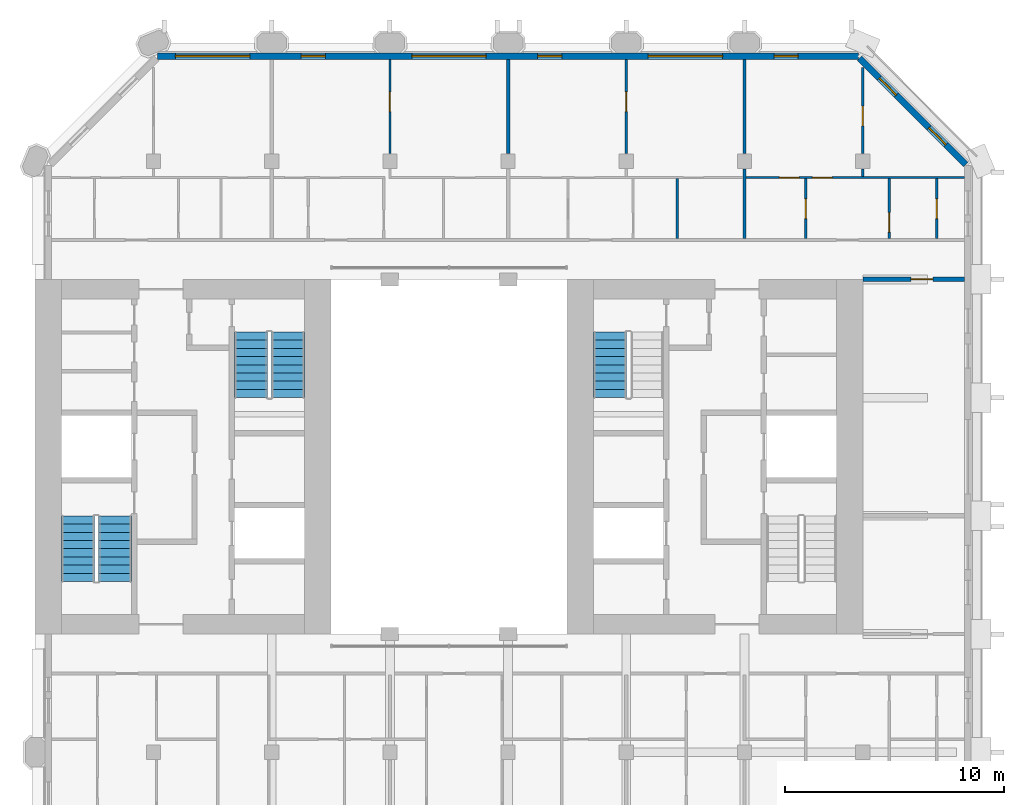
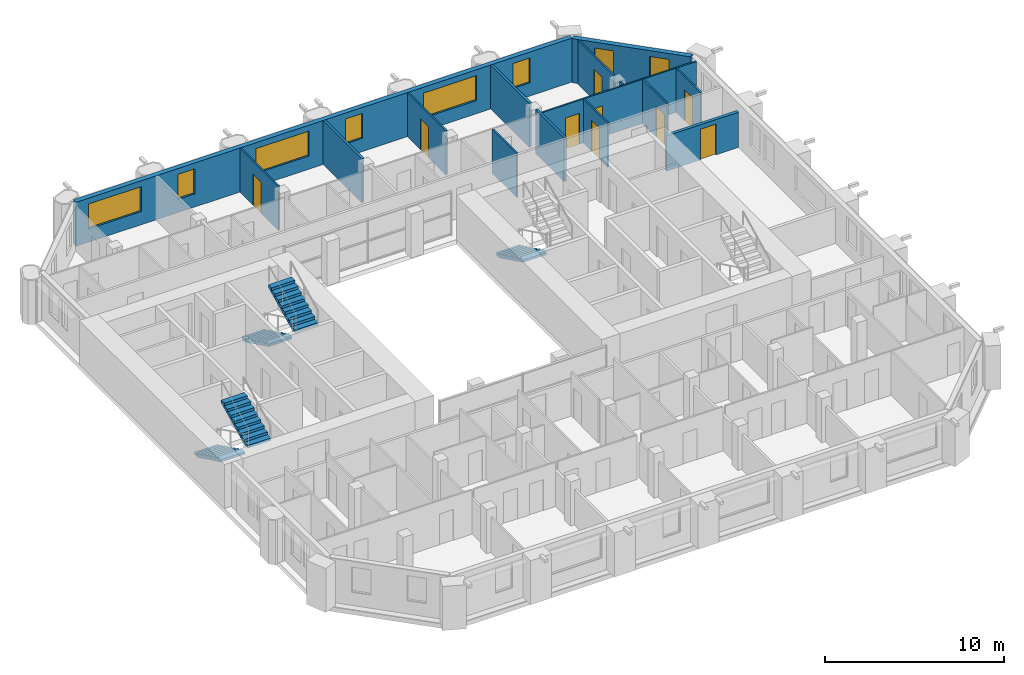
# One storey, part 11 of 14: 15 walls, 9 doors, 8 windows, 5 stair flights, 17 openings, 3 elements without a shape of their own.
"""IFC4 building model written with IfcOpenShell, lengths in metres."""

from ifc_helpers import new_model, si_unit, direction, frame, frame_2d, origin, place, context, subcontext, project, spatial, polyline, rectangle, outline, extrude, material, layer, layer_set, type_object, element, fill, aggregate, save


model = new_model("IFC4")

# Units and contexts
model_context = context("Model", 3, precision=1e-05, world=origin(), true_north=direction((0.0, 1.0)))
body_context = subcontext(model_context, "Body", "Model", "MODEL_VIEW")
ifc_project = project(units=[si_unit("LENGTHUNIT", "METRE"), si_unit("AREAUNIT", "SQUARE_METRE"), si_unit("VOLUMEUNIT", "CUBIC_METRE"), si_unit("PLANEANGLEUNIT", "RADIAN"), si_unit("MASSUNIT", "GRAM", prefix="KILO")], contexts=[model_context])

# Site, building, storey
site_placement = place(None, origin())
site = spatial("IfcSite", under=ifc_project, at=site_placement, CompositionType="ELEMENT")
building_placement = place(site_placement, origin())
building = spatial("IfcBuilding", under=site, at=building_placement, Name="Tabaq Tower and Sports Hall", CompositionType="ELEMENT")
storey_placement = place(building_placement, frame((0.0, 0.0, 275.199951171875)))
storey = spatial("IfcBuildingStorey", under=building, at=storey_placement, Name="L67", CompositionType="ELEMENT", Elevation=275.199951171875)

# Wall, opening, door
ifc_material_1 = material(Name="Blockwork", Category="masonry")
ifc_layer_1 = layer(ifc_material_1, 0.199951171875)
ifc_layer_set_1 = layer_set([ifc_layer_1], Name="Fire compartment wall 200 Blockwork")
wall_type_1 = type_object("IfcWallType", Name="Fire compartment wall 200 Blockwork", PredefinedType="PARTITIONING", material=ifc_layer_set_1)
wall_1_placement = place(storey_placement, frame((47.84912109375, 32.39990234375, 0.0), z_axis=(0.0, 0.0, 1.0), x_axis=(-1.0, 0.0, 0.0)))
wall_1 = element("IfcWall", 1, at=wall_1_placement, inside=storey, type_object=wall_type_1, Name="Compartment wall L67", PredefinedType="PARTITIONING", context=body_context, shape_type="SweptSolid", body=[
    extrude(rectangle(XDim=4.649169921875, YDim=0.199951171875, at=frame_2d((2.32470703125, 0.0))), origin(), (0.0, 0.0, 1.0), 2.400146484375),
])
opening_1_placement = place(wall_1_placement, frame((1.448974609375, 0.0, 0.0)))
opening_1 = element("IfcOpeningElement", 2, at=opening_1_placement, cuts=wall_1, Name="Opening L67-008", PredefinedType="OPENING", context=body_context, shape_type="SweptSolid", body=[
    extrude(rectangle(XDim=1.0, YDim=2.10009765625, at=frame_2d((0.5, 1.050048828125))), frame((0.0, 0.10009765625, 0.0), z_axis=(0.0, -1.0, 0.0), x_axis=(1.0, 0.0, 0.0)), (0.0, 0.0, 1.0), 0.199951171875),
])
ifc_material_2 = material(Name="Timber leaf in steel frame", Category="steel")
door_type_1 = type_object("IfcDoorType", Name="Internal door 1000 right hand", OperationType="SINGLE_SWING_RIGHT", PredefinedType="DOOR", material=ifc_material_2)
door_1_placement = place(opening_1_placement, origin())
door_1 = element("IfcDoor", 3, at=door_1_placement, inside=storey, type_object=door_type_1, Name="Internal door L67-008", OperationType="SINGLE_SWING_RIGHT", OverallHeight=2.10009765625, OverallWidth=1.0, PredefinedType="DOOR", context=body_context, shape_type="SweptSolid", body=[
    extrude(rectangle(XDim=1.0, YDim=2.10009765625, at=frame_2d((0.5, 1.050048828125))), frame((0.0, 0.02490234375, 0.0), z_axis=(0.0, -1.0, 0.0), x_axis=(1.0, 0.0, 0.0)), (0.0, 0.0, 1.0), 0.050048828125),
])
fill(opening_1, door_1)

ifc_material_3 = material(Name="Gypsum board on steel studs", Category="steel")
ifc_layer_2 = layer(ifc_material_3, 0.10009765625)
ifc_layer_set_2 = layer_set([ifc_layer_2], Name="Partition 100 Gypsum board")
wall_type_2 = type_object("IfcWallType", Name="Partition 100 Gypsum board", PredefinedType="PARTITIONING", material=ifc_layer_set_2)
wall_2_placement = place(storey_placement, frame((21.60009765625, 38.14501953125, 0.0), z_axis=(0.0, 0.0, 1.0), x_axis=(0.0, 1.0, 0.0)))
wall_2 = element("IfcWall", 4, at=wall_2_placement, inside=storey, type_object=wall_type_2, Name="Partition wall L67", PredefinedType="PARTITIONING", context=body_context, shape_type="SweptSolid", body=[
    extrude(rectangle(XDim=4.303955078125, YDim=0.10009765625, at=frame_2d((2.15185546875, 0.0))), origin(), (0.0, 0.0, 1.0), 3.0),
])
opening_2_placement = place(wall_2_placement, frame((1.91796875, 0.0, 0.0)))
opening_2 = element("IfcOpeningElement", 5, at=opening_2_placement, cuts=wall_2, Name="Opening L67-027", PredefinedType="OPENING", context=body_context, shape_type="SweptSolid", body=[
    extrude(rectangle(XDim=0.89990234375, YDim=2.10009765625, at=frame_2d((0.449951171875, 1.050048828125))), frame((0.0, 0.050048828125, 0.0), z_axis=(0.0, -1.0, 0.0), x_axis=(1.0, 0.0, 0.0)), (0.0, 0.0, 1.0), 0.10009765625),
])
ifc_material_4 = material(Name="Timber leaf in steel frame", Category="steel")
door_type_2 = type_object("IfcDoorType", Name="Internal door 900 right hand", OperationType="SINGLE_SWING_RIGHT", PredefinedType="DOOR", material=ifc_material_4)
door_2_placement = place(opening_2_placement, origin())
door_2 = element("IfcDoor", 6, at=door_2_placement, inside=storey, type_object=door_type_2, Name="Internal door L67-027", OperationType="SINGLE_SWING_RIGHT", OverallHeight=2.10009765625, OverallWidth=0.89990234375, PredefinedType="DOOR", context=body_context, shape_type="SweptSolid", body=[
    extrude(rectangle(XDim=0.89990234375, YDim=2.10009765625, at=frame_2d((0.449951171875, 1.050048828125))), frame((0.0, 0.02490234375, 0.0), z_axis=(0.0, -1.0, 0.0), x_axis=(1.0, 0.0, 0.0)), (0.0, 0.0, 1.0), 0.050048828125),
])
fill(opening_2, door_2)

wall_3_placement = place(storey_placement, frame((32.39990234375, 38.14501953125, 0.0), z_axis=(0.0, 0.0, 1.0), x_axis=(0.0, 1.0, 0.0)))
wall_3 = element("IfcWall", 7, at=wall_3_placement, inside=storey, type_object=wall_type_2, Name="Partition wall L67", PredefinedType="PARTITIONING", context=body_context, shape_type="SweptSolid", body=[
    extrude(rectangle(XDim=4.303955078125, YDim=0.10009765625, at=frame_2d((2.15185546875, 0.0))), origin(), (0.0, 0.0, 1.0), 3.0),
])
opening_3_placement = place(wall_3_placement, frame((1.91796875, 0.0, 0.0)))
opening_3 = element("IfcOpeningElement", 8, at=opening_3_placement, cuts=wall_3, Name="Opening L67-030", PredefinedType="OPENING", context=body_context, shape_type="SweptSolid", body=[
    extrude(rectangle(XDim=0.89990234375, YDim=2.10009765625, at=frame_2d((0.449951171875, 1.050048828125))), frame((0.0, 0.050048828125, 0.0), z_axis=(0.0, -1.0, 0.0), x_axis=(1.0, 0.0, 0.0)), (0.0, 0.0, 1.0), 0.10009765625),
])
ifc_material_5 = material(Name="Timber leaf in steel frame", Category="steel")
door_type_3 = type_object("IfcDoorType", Name="Internal door 900 left hand", OperationType="SINGLE_SWING_LEFT", PredefinedType="DOOR", material=ifc_material_5)
door_3_placement = place(opening_3_placement, origin())
door_3 = element("IfcDoor", 9, at=door_3_placement, inside=storey, type_object=door_type_3, Name="Internal door L67-030", OperationType="SINGLE_SWING_LEFT", OverallHeight=2.10009765625, OverallWidth=0.89990234375, PredefinedType="DOOR", context=body_context, shape_type="SweptSolid", body=[
    extrude(rectangle(XDim=0.89990234375, YDim=2.10009765625, at=frame_2d((0.449951171875, 1.050048828125))), frame((0.0, 0.02490234375, 0.0), z_axis=(0.0, -1.0, 0.0), x_axis=(1.0, 0.0, 0.0)), (0.0, 0.0, 1.0), 0.050048828125),
])
fill(opening_3, door_3)

# Walls
wall_4_placement = place(storey_placement, frame((34.720947265625, 34.27490234375, 0.0), z_axis=(0.0, 0.0, 1.0), x_axis=(0.0, 1.0, 0.0)))
element("IfcWall", 10, at=wall_4_placement, inside=storey, type_object=wall_type_2, Name="Partition wall L67", PredefinedType="PARTITIONING", context=body_context, shape_type="SweptSolid", body=[
    extrude(rectangle(XDim=2.72509765625, YDim=0.10009765625, at=frame_2d((1.362548828125, 0.0))), origin(), (0.0, 0.0, 1.0), 3.0),
])
wall_5_placement = place(storey_placement, frame((43.199951171875, 37.10009765625, 0.0), z_axis=(0.0, 0.0, 1.0), x_axis=(0.0, 1.0, 0.0)))
element("IfcWall", 11, at=wall_5_placement, inside=storey, type_object=wall_type_2, Name="Partition wall L67", PredefinedType="PARTITIONING", context=body_context, shape_type="SweptSolid", body=[
    extrude(rectangle(XDim=0.35498046875, YDim=0.10009765625, at=frame_2d((0.177490234375, 0.0))), origin(), (0.0, 0.0, 1.0), 3.0),
])

# Wall, opening, door
wall_6_placement = place(storey_placement, frame((43.199951171875, 38.14501953125, 0.0), z_axis=(0.0, 0.0, 1.0), x_axis=(0.0, 1.0, 0.0)))
wall_6 = element("IfcWall", 12, at=wall_6_placement, inside=storey, type_object=wall_type_2, Name="Partition wall L67", PredefinedType="PARTITIONING", context=body_context, shape_type="SweptSolid", body=[
    extrude(rectangle(XDim=3.94287109375, YDim=0.10009765625, at=frame_2d((1.971435546875, 0.0))), origin(), (0.0, 0.0, 1.0), 3.0),
])
opening_4_placement = place(wall_6_placement, frame((1.273681640625, 0.0, 0.0)))
opening_4 = element("IfcOpeningElement", 13, at=opening_4_placement, cuts=wall_6, Name="Opening L67-033", PredefinedType="OPENING", context=body_context, shape_type="SweptSolid", body=[
    extrude(rectangle(XDim=0.89990234375, YDim=2.10009765625, at=frame_2d((0.449951171875, 1.050048828125))), frame((0.0, 0.050048828125, 0.0), z_axis=(0.0, -1.0, 0.0), x_axis=(1.0, 0.0, 0.0)), (0.0, 0.0, 1.0), 0.10009765625),
])
door_4_placement = place(opening_4_placement, origin())
door_4 = element("IfcDoor", 14, at=door_4_placement, inside=storey, type_object=door_type_3, Name="Internal door L67-033", OperationType="SINGLE_SWING_LEFT", OverallHeight=2.10009765625, OverallWidth=0.89990234375, PredefinedType="DOOR", context=body_context, shape_type="SweptSolid", body=[
    extrude(rectangle(XDim=0.89990234375, YDim=2.10009765625, at=frame_2d((0.449951171875, 1.050048828125))), frame((0.0, 0.02490234375, 0.0), z_axis=(0.0, -1.0, 0.0), x_axis=(1.0, 0.0, 0.0)), (0.0, 0.0, 1.0), 0.050048828125),
])
fill(opening_4, door_4)

# Wall, openings, doors
wall_7_placement = place(storey_placement, frame((37.875, 37.050048828125, 0.0), z_axis=(0.0, 0.0, 1.0), x_axis=(1.0, 0.0, 0.0)))
wall_7 = element("IfcWall", 15, at=wall_7_placement, inside=storey, type_object=wall_type_2, Name="Partition wall L67", PredefinedType="PARTITIONING", context=body_context, shape_type="SweptSolid", body=[
    extrude(rectangle(XDim=9.97412109375, YDim=0.10009765625, at=frame_2d((4.987060546875, 0.0))), origin(), (0.0, 0.0, 1.0), 3.0),
])
opening_5_placement = place(wall_7_placement, frame((1.51904296875, 0.0, 0.0)))
opening_5 = element("IfcOpeningElement", 16, at=opening_5_placement, cuts=wall_7, Name="Opening L67-034", PredefinedType="OPENING", context=body_context, shape_type="SweptSolid", body=[
    extrude(rectangle(XDim=0.89990234375, YDim=2.10009765625, at=frame_2d((0.449951171875, 1.050048828125))), frame((0.0, 0.050048828125, 0.0), z_axis=(0.0, -1.0, 0.0), x_axis=(1.0, 0.0, 0.0)), (0.0, 0.0, 1.0), 0.10009765625),
])
opening_6_placement = place(wall_7_placement, frame((3.01904296875, 0.0, 0.0)))
opening_6 = element("IfcOpeningElement", 17, at=opening_6_placement, cuts=wall_7, Name="Opening L67-053", PredefinedType="OPENING", context=body_context, shape_type="SweptSolid", body=[
    extrude(rectangle(XDim=0.89990234375, YDim=2.10009765625, at=frame_2d((0.449951171875, 1.050048828125))), frame((0.0, 0.050048828125, 0.0), z_axis=(0.0, -1.0, 0.0), x_axis=(1.0, 0.0, 0.0)), (0.0, 0.0, 1.0), 0.10009765625),
])
door_5_placement = place(opening_6_placement, origin())
door_5 = element("IfcDoor", 18, at=door_5_placement, inside=storey, type_object=door_type_3, Name="Internal door L67-053", OperationType="SINGLE_SWING_LEFT", OverallHeight=2.10009765625, OverallWidth=0.89990234375, PredefinedType="DOOR", context=body_context, shape_type="SweptSolid", body=[
    extrude(rectangle(XDim=0.89990234375, YDim=2.10009765625, at=frame_2d((0.449951171875, 1.050048828125))), frame((0.0, 0.02490234375, 0.0), z_axis=(0.0, -1.0, 0.0), x_axis=(1.0, 0.0, 0.0)), (0.0, 0.0, 1.0), 0.050048828125),
])
fill(opening_6, door_5)
door_6_placement = place(opening_5_placement, origin())
door_6 = element("IfcDoor", 19, at=door_6_placement, inside=storey, type_object=door_type_2, Name="Internal door L67-034", OperationType="SINGLE_SWING_RIGHT", OverallHeight=2.10009765625, OverallWidth=0.89990234375, PredefinedType="DOOR", context=body_context, shape_type="SweptSolid", body=[
    extrude(rectangle(XDim=0.89990234375, YDim=2.10009765625, at=frame_2d((0.449951171875, 1.050048828125))), frame((0.0, 0.02490234375, 0.0), z_axis=(0.0, -1.0, 0.0), x_axis=(1.0, 0.0, 0.0)), (0.0, 0.0, 1.0), 0.050048828125),
])
fill(opening_5, door_6)

# Wall, opening, door
wall_8_placement = place(storey_placement, frame((40.593994140625, 34.27490234375, 0.0), z_axis=(0.0, 0.0, 1.0), x_axis=(0.0, 1.0, 0.0)))
wall_8 = element("IfcWall", 20, at=wall_8_placement, inside=storey, type_object=wall_type_2, Name="Partition wall L67", PredefinedType="PARTITIONING", context=body_context, shape_type="SweptSolid", body=[
    extrude(rectangle(XDim=2.72509765625, YDim=0.10009765625, at=frame_2d((1.362548828125, 0.0))), origin(), (0.0, 0.0, 1.0), 3.0),
])
opening_7_placement = place(wall_8_placement, frame((0.89990234375, 0.0, 0.0)))
opening_7 = element("IfcOpeningElement", 21, at=opening_7_placement, cuts=wall_8, Name="Opening L67-035", PredefinedType="OPENING", context=body_context, shape_type="SweptSolid", body=[
    extrude(rectangle(XDim=0.89990234375, YDim=2.10009765625, at=frame_2d((0.449951171875, 1.050048828125))), frame((0.0, 0.050048828125, 0.0), z_axis=(0.0, -1.0, 0.0), x_axis=(1.0, 0.0, 0.0)), (0.0, 0.0, 1.0), 0.10009765625),
])
door_7_placement = place(opening_7_placement, origin())
door_7 = element("IfcDoor", 22, at=door_7_placement, inside=storey, type_object=door_type_2, Name="Internal door L67-035", OperationType="SINGLE_SWING_RIGHT", OverallHeight=2.10009765625, OverallWidth=0.89990234375, PredefinedType="DOOR", context=body_context, shape_type="SweptSolid", body=[
    extrude(rectangle(XDim=0.89990234375, YDim=2.10009765625, at=frame_2d((0.449951171875, 1.050048828125))), frame((0.0, 0.02490234375, 0.0), z_axis=(0.0, -1.0, 0.0), x_axis=(1.0, 0.0, 0.0)), (0.0, 0.0, 1.0), 0.050048828125),
])
fill(opening_7, door_7)

wall_9_placement = place(storey_placement, frame((44.405029296875, 34.27490234375, 0.0), z_axis=(0.0, 0.0, 1.0), x_axis=(0.0, 1.0, 0.0)))
wall_9 = element("IfcWall", 23, at=wall_9_placement, inside=storey, type_object=wall_type_2, Name="Partition wall L67", PredefinedType="PARTITIONING", context=body_context, shape_type="SweptSolid", body=[
    extrude(rectangle(XDim=2.72509765625, YDim=0.10009765625, at=frame_2d((1.362548828125, 0.0))), origin(), (0.0, 0.0, 1.0), 3.0),
])
opening_8_placement = place(wall_9_placement, frame((0.281005859375, 0.0, 0.0)))
opening_8 = element("IfcOpeningElement", 24, at=opening_8_placement, cuts=wall_9, Name="Opening L67-007", PredefinedType="OPENING", context=body_context, shape_type="SweptSolid", body=[
    extrude(rectangle(XDim=0.89990234375, YDim=2.10009765625, at=frame_2d((0.449951171875, 1.050048828125))), frame((0.0, 0.050048828125, 0.0), z_axis=(0.0, -1.0, 0.0), x_axis=(1.0, 0.0, 0.0)), (0.0, 0.0, 1.0), 0.10009765625),
])
door_8_placement = place(opening_8_placement, origin())
door_8 = element("IfcDoor", 25, at=door_8_placement, inside=storey, type_object=door_type_2, Name="Internal door L67-007", OperationType="SINGLE_SWING_RIGHT", OverallHeight=2.10009765625, OverallWidth=0.89990234375, PredefinedType="DOOR", context=body_context, shape_type="SweptSolid", body=[
    extrude(rectangle(XDim=0.89990234375, YDim=2.10009765625, at=frame_2d((0.449951171875, 1.050048828125))), frame((0.0, 0.02490234375, 0.0), z_axis=(0.0, -1.0, 0.0), x_axis=(1.0, 0.0, 0.0)), (0.0, 0.0, 1.0), 0.050048828125),
])
fill(opening_8, door_8)

wall_10_placement = place(storey_placement, frame((46.577880859375, 34.27490234375, 0.0), z_axis=(0.0, 0.0, 1.0), x_axis=(0.0, 1.0, 0.0)))
wall_10 = element("IfcWall", 26, at=wall_10_placement, inside=storey, type_object=wall_type_2, Name="Partition wall L67", PredefinedType="PARTITIONING", context=body_context, shape_type="SweptSolid", body=[
    extrude(rectangle(XDim=2.72509765625, YDim=0.10009765625, at=frame_2d((1.362548828125, 0.0))), origin(), (0.0, 0.0, 1.0), 3.0),
])
opening_9_placement = place(wall_10_placement, frame((0.89990234375, 0.0, 0.0)))
opening_9 = element("IfcOpeningElement", 27, at=opening_9_placement, cuts=wall_10, Name="Opening L67-067", PredefinedType="OPENING", context=body_context, shape_type="SweptSolid", body=[
    extrude(rectangle(XDim=0.89990234375, YDim=2.10009765625, at=frame_2d((0.449951171875, 1.050048828125))), frame((0.0, 0.050048828125, 0.0), z_axis=(0.0, -1.0, 0.0), x_axis=(1.0, 0.0, 0.0)), (0.0, 0.0, 1.0), 0.10009765625),
])
door_9_placement = place(opening_9_placement, origin())
door_9 = element("IfcDoor", 28, at=door_9_placement, inside=storey, type_object=door_type_3, Name="Internal door L67-067", OperationType="SINGLE_SWING_LEFT", OverallHeight=2.10009765625, OverallWidth=0.89990234375, PredefinedType="DOOR", context=body_context, shape_type="SweptSolid", body=[
    extrude(rectangle(XDim=0.89990234375, YDim=2.10009765625, at=frame_2d((0.449951171875, 1.050048828125))), frame((0.0, 0.02490234375, 0.0), z_axis=(0.0, -1.0, 0.0), x_axis=(1.0, 0.0, 0.0)), (0.0, 0.0, 1.0), 0.050048828125),
])
fill(opening_9, door_9)

# Walls
ifc_material_6 = material(Name="Blockwork", Category="masonry")
ifc_layer_3 = layer(ifc_material_6, 0.14990234375)
ifc_layer_set_3 = layer_set([ifc_layer_3], Name="Separating wall 150 Blockwork")
wall_type_3 = type_object("IfcWallType", Name="Separating wall 150 Blockwork", PredefinedType="PARTITIONING", material=ifc_layer_set_3)
for number, where, z_axis, x_axis, name in (
    (29, (27.0, 38.14501953125, 0.0), (0.0, 0.0, 1.0), (0.0, 1.0, 0.0), "Separating wall L67"),
    (30, (37.800048828125, 38.14501953125, 0.0), (0.0, 0.0, 1.0), (0.0, 1.0, 0.0), "Separating wall L67"),
):
    element("IfcWall", number, at=place(storey_placement, frame(where, z_axis=z_axis, x_axis=x_axis)), inside=storey, type_object=wall_type_3, Name=name, PredefinedType="PARTITIONING", context=body_context, shape_type="SweptSolid", body=[
        extrude(rectangle(XDim=4.303955078125, YDim=0.14990234375, at=frame_2d((2.15185546875, 0.0))), origin(), (0.0, 0.0, 1.0), 3.0),
    ])
wall_11_placement = place(storey_placement, frame((37.800048828125, 34.27490234375, 0.0), z_axis=(0.0, 0.0, 1.0), x_axis=(0.0, 1.0, 0.0)))
element("IfcWall", 31, at=wall_11_placement, inside=storey, type_object=wall_type_3, Name="Separating wall L67", PredefinedType="PARTITIONING", context=body_context, shape_type="SweptSolid", body=[
    extrude(rectangle(XDim=3.18017578125, YDim=0.14990234375, at=frame_2d((1.590087890625, 0.0))), origin(), (0.0, 0.0, 1.0), 3.0),
])

# Wall, openings, windows
ifc_material_7 = material(Name="White precast concrete C60/75", Category="concrete")
ifc_layer_4 = layer(ifc_material_7, 0.300048828125)
ifc_layer_set_4 = layer_set([ifc_layer_4], Name="White precast concrete C60/75 external wall 300")
wall_type_4 = type_object("IfcWallType", Name="White precast concrete C60/75 external wall 300", PredefinedType="SOLIDWALL", material=ifc_layer_set_4)
wall_12_placement = place(storey_placement, frame((47.901123046875, 37.650390625, 0.0), z_axis=(0.0, 0.0, 1.0), x_axis=(-0.707106781187, 0.707106781187, 0.0)))
wall_12 = element("IfcWall", 32, at=wall_12_placement, inside=storey, type_object=wall_type_4, Name="External Wall L67 NE", PredefinedType="SOLIDWALL", context=body_context, shape_type="SweptSolid", body=[
    extrude(rectangle(XDim=6.85986328125, YDim=0.300048828125, at=frame_2d((3.429931640625, 0.0))), origin(), (0.0, 0.0, 1.0), 3.0),
])
opening_10_placement = place(wall_12_placement, frame((1.27978515625, 0.0, 0.89990234375)))
opening_10 = element("IfcOpeningElement", 33, at=opening_10_placement, cuts=wall_12, Name="Opening W1B", PredefinedType="OPENING", context=body_context, shape_type="SweptSolid", body=[
    extrude(rectangle(XDim=1.10009765625, YDim=1.699951171875, at=frame_2d((0.550048828125, 0.85009765625))), frame((0.0, 0.16015625, 0.0), z_axis=(0.0, -1.0, 0.0), x_axis=(1.0, 0.0, 0.0)), (0.0, 0.0, 1.0), 0.320068359375),
])
opening_11_placement = place(wall_12_placement, frame((4.479736328125, 0.0, 0.89990234375)))
opening_11 = element("IfcOpeningElement", 34, at=opening_11_placement, cuts=wall_12, Name="Opening W1B", PredefinedType="OPENING", context=body_context, shape_type="SweptSolid", body=[
    extrude(rectangle(XDim=1.10009765625, YDim=1.699951171875, at=frame_2d((0.550048828125, 0.85009765625))), frame((0.0, 0.16015625, 0.0), z_axis=(0.0, -1.0, 0.0), x_axis=(1.0, 0.0, 0.0)), (0.0, 0.0, 1.0), 0.320068359375),
])
ifc_material_8 = material(Name="Aluminium framed clear glazing", Category="aluminium")
window_type_1 = type_object("IfcWindowType", Name="Window W1B", PartitioningType="SINGLE_PANEL", PredefinedType="WINDOW", material=ifc_material_8)
window_1_placement = place(opening_10_placement, origin())
window_1 = element("IfcWindow", 35, at=window_1_placement, inside=storey, type_object=window_type_1, Name="Window W1B L67", OverallHeight=1.699951171875, OverallWidth=1.10009765625, PartitioningType="SINGLE_PANEL", PredefinedType="WINDOW", context=body_context, shape_type="SweptSolid", body=[
    extrude(rectangle(XDim=1.10009765625, YDim=1.699951171875, at=frame_2d((0.550048828125, 0.85009765625))), frame((0.0, 0.030029296875, 0.0), z_axis=(0.0, -1.0, 0.0), x_axis=(1.0, 0.0, 0.0)), (0.0, 0.0, 1.0), 0.06005859375),
])
fill(opening_10, window_1)
window_2_placement = place(opening_11_placement, origin())
window_2 = element("IfcWindow", 36, at=window_2_placement, inside=storey, type_object=window_type_1, Name="Window W1B L67", OverallHeight=1.699951171875, OverallWidth=1.10009765625, PartitioningType="SINGLE_PANEL", PredefinedType="WINDOW", context=body_context, shape_type="SweptSolid", body=[
    extrude(rectangle(XDim=1.10009765625, YDim=1.699951171875, at=frame_2d((0.550048828125, 0.85009765625))), frame((0.0, 0.030029296875, 0.0), z_axis=(0.0, -1.0, 0.0), x_axis=(1.0, 0.0, 0.0)), (0.0, 0.0, 1.0), 0.06005859375),
])
fill(opening_11, window_2)

wall_13_placement = place(storey_placement, frame((43.013671875, 42.60009765625, 0.0), z_axis=(0.0, 0.0, 1.0), x_axis=(-1.0, 0.0, 0.0)))
wall_13 = element("IfcWall", 37, at=wall_13_placement, inside=storey, type_object=wall_type_4, Name="External Wall L67 N", PredefinedType="SOLIDWALL", context=body_context, shape_type="SweptSolid", body=[
    extrude(rectangle(XDim=32.02734375, YDim=0.300048828125, at=frame_2d((16.013671875, 0.0))), origin(), (0.0, 0.0, 1.0), 3.0),
])
opening_12_placement = place(wall_13_placement, frame((2.763671875, 0.0, 0.89990234375)))
opening_12 = element("IfcOpeningElement", 38, at=opening_12_placement, cuts=wall_13, Name="Opening W1B", PredefinedType="OPENING", context=body_context, shape_type="SweptSolid", body=[
    extrude(rectangle(XDim=1.10009765625, YDim=1.699951171875, at=frame_2d((0.550048828125, 0.85009765625))), frame((0.0, 0.16015625, 0.0), z_axis=(0.0, -1.0, 0.0), x_axis=(1.0, 0.0, 0.0)), (0.0, 0.0, 1.0), 0.320068359375),
])
opening_13_placement = place(wall_13_placement, frame((6.213623046875, 0.0, 0.89990234375)))
opening_13 = element("IfcOpeningElement", 39, at=opening_13_placement, cuts=wall_13, Name="Opening W1A", PredefinedType="OPENING", context=body_context, shape_type="SweptSolid", body=[
    extrude(rectangle(XDim=3.39990234375, YDim=1.699951171875, at=frame_2d((1.699951171875, 0.85009765625))), frame((0.0, 0.16015625, 0.0), z_axis=(0.0, -1.0, 0.0), x_axis=(1.0, 0.0, 0.0)), (0.0, 0.0, 1.0), 0.320068359375),
])
opening_14_placement = place(wall_13_placement, frame((13.563720703125, 0.0, 0.89990234375)))
opening_14 = element("IfcOpeningElement", 40, at=opening_14_placement, cuts=wall_13, Name="Opening W1B", PredefinedType="OPENING", context=body_context, shape_type="SweptSolid", body=[
    extrude(rectangle(XDim=1.10009765625, YDim=1.699951171875, at=frame_2d((0.550048828125, 0.85009765625))), frame((0.0, 0.16015625, 0.0), z_axis=(0.0, -1.0, 0.0), x_axis=(1.0, 0.0, 0.0)), (0.0, 0.0, 1.0), 0.320068359375),
])
opening_15_placement = place(wall_13_placement, frame((17.013671875, 0.0, 0.89990234375)))
opening_15 = element("IfcOpeningElement", 41, at=opening_15_placement, cuts=wall_13, Name="Opening W1A", PredefinedType="OPENING", context=body_context, shape_type="SweptSolid", body=[
    extrude(rectangle(XDim=3.39990234375, YDim=1.699951171875, at=frame_2d((1.699951171875, 0.85009765625))), frame((0.0, 0.16015625, 0.0), z_axis=(0.0, -1.0, 0.0), x_axis=(1.0, 0.0, 0.0)), (0.0, 0.0, 1.0), 0.320068359375),
])
opening_16_placement = place(wall_13_placement, frame((24.363525390625, 0.0, 0.89990234375)))
opening_16 = element("IfcOpeningElement", 42, at=opening_16_placement, cuts=wall_13, Name="Opening W1B", PredefinedType="OPENING", context=body_context, shape_type="SweptSolid", body=[
    extrude(rectangle(XDim=1.10009765625, YDim=1.699951171875, at=frame_2d((0.550048828125, 0.85009765625))), frame((0.0, 0.16015625, 0.0), z_axis=(0.0, -1.0, 0.0), x_axis=(1.0, 0.0, 0.0)), (0.0, 0.0, 1.0), 0.320068359375),
])
opening_17_placement = place(wall_13_placement, frame((27.813720703125, 0.0, 0.89990234375)))
opening_17 = element("IfcOpeningElement", 43, at=opening_17_placement, cuts=wall_13, Name="Opening W1A", PredefinedType="OPENING", context=body_context, shape_type="SweptSolid", body=[
    extrude(rectangle(XDim=3.39990234375, YDim=1.699951171875, at=frame_2d((1.699951171875, 0.85009765625))), frame((0.0, 0.16015625, 0.0), z_axis=(0.0, -1.0, 0.0), x_axis=(1.0, 0.0, 0.0)), (0.0, 0.0, 1.0), 0.320068359375),
])
ifc_material_9 = material(Name="Aluminium framed clear glazing", Category="aluminium")
window_type_2 = type_object("IfcWindowType", Name="Window W1A", PartitioningType="SINGLE_PANEL", PredefinedType="WINDOW", material=ifc_material_9)
window_3_placement = place(opening_13_placement, origin())
window_3 = element("IfcWindow", 44, at=window_3_placement, inside=storey, type_object=window_type_2, Name="Window W1A L67", OverallHeight=1.699951171875, OverallWidth=3.39990234375, PartitioningType="SINGLE_PANEL", PredefinedType="WINDOW", context=body_context, shape_type="SweptSolid", body=[
    extrude(rectangle(XDim=3.39990234375, YDim=1.699951171875, at=frame_2d((1.699951171875, 0.85009765625))), frame((0.0, 0.030029296875, 0.0), z_axis=(0.0, -1.0, 0.0), x_axis=(1.0, 0.0, 0.0)), (0.0, 0.0, 1.0), 0.06005859375),
])
fill(opening_13, window_3)
window_4_placement = place(opening_15_placement, origin())
window_4 = element("IfcWindow", 45, at=window_4_placement, inside=storey, type_object=window_type_2, Name="Window W1A L67", OverallHeight=1.699951171875, OverallWidth=3.39990234375, PartitioningType="SINGLE_PANEL", PredefinedType="WINDOW", context=body_context, shape_type="SweptSolid", body=[
    extrude(rectangle(XDim=3.39990234375, YDim=1.699951171875, at=frame_2d((1.699951171875, 0.85009765625))), frame((0.0, 0.030029296875, 0.0), z_axis=(0.0, -1.0, 0.0), x_axis=(1.0, 0.0, 0.0)), (0.0, 0.0, 1.0), 0.06005859375),
])
fill(opening_15, window_4)
window_5_placement = place(opening_17_placement, origin())
window_5 = element("IfcWindow", 46, at=window_5_placement, inside=storey, type_object=window_type_2, Name="Window W1A L67", OverallHeight=1.699951171875, OverallWidth=3.39990234375, PartitioningType="SINGLE_PANEL", PredefinedType="WINDOW", context=body_context, shape_type="SweptSolid", body=[
    extrude(rectangle(XDim=3.39990234375, YDim=1.699951171875, at=frame_2d((1.699951171875, 0.85009765625))), frame((0.0, 0.030029296875, 0.0), z_axis=(0.0, -1.0, 0.0), x_axis=(1.0, 0.0, 0.0)), (0.0, 0.0, 1.0), 0.06005859375),
])
fill(opening_17, window_5)
window_6_placement = place(opening_12_placement, origin())
window_6 = element("IfcWindow", 47, at=window_6_placement, inside=storey, type_object=window_type_1, Name="Window W1B L67", OverallHeight=1.699951171875, OverallWidth=1.10009765625, PartitioningType="SINGLE_PANEL", PredefinedType="WINDOW", context=body_context, shape_type="SweptSolid", body=[
    extrude(rectangle(XDim=1.10009765625, YDim=1.699951171875, at=frame_2d((0.550048828125, 0.85009765625))), frame((0.0, 0.030029296875, 0.0), z_axis=(0.0, -1.0, 0.0), x_axis=(1.0, 0.0, 0.0)), (0.0, 0.0, 1.0), 0.06005859375),
])
fill(opening_12, window_6)
window_7_placement = place(opening_14_placement, origin())
window_7 = element("IfcWindow", 48, at=window_7_placement, inside=storey, type_object=window_type_1, Name="Window W1B L67", OverallHeight=1.699951171875, OverallWidth=1.10009765625, PartitioningType="SINGLE_PANEL", PredefinedType="WINDOW", context=body_context, shape_type="SweptSolid", body=[
    extrude(rectangle(XDim=1.10009765625, YDim=1.699951171875, at=frame_2d((0.550048828125, 0.85009765625))), frame((0.0, 0.030029296875, 0.0), z_axis=(0.0, -1.0, 0.0), x_axis=(1.0, 0.0, 0.0)), (0.0, 0.0, 1.0), 0.06005859375),
])
fill(opening_14, window_7)
window_8_placement = place(opening_16_placement, origin())
window_8 = element("IfcWindow", 49, at=window_8_placement, inside=storey, type_object=window_type_1, Name="Window W1B L67", OverallHeight=1.699951171875, OverallWidth=1.10009765625, PartitioningType="SINGLE_PANEL", PredefinedType="WINDOW", context=body_context, shape_type="SweptSolid", body=[
    extrude(rectangle(XDim=1.10009765625, YDim=1.699951171875, at=frame_2d((0.550048828125, 0.85009765625))), frame((0.0, 0.030029296875, 0.0), z_axis=(0.0, -1.0, 0.0), x_axis=(1.0, 0.0, 0.0)), (0.0, 0.0, 1.0), 0.06005859375),
])
fill(opening_16, window_8)

# Stair, stair flights
ifc_material_10 = material(Name="Concrete C40/50", Category="concrete")
stair_type = type_object("IfcStairType", Name="Exit stair", PredefinedType="HALF_TURN_STAIR", material=ifc_material_10)
stair_1_placement = place(storey_placement, origin())
stair_1 = element("IfcStair", 50, at=stair_1_placement, inside=storey, type_object=stair_type, Name="L67 Exit stair ST1", PredefinedType="HALF_TURN_STAIR")
ifc_material_11 = material(Name="Concrete C40/50", Category="concrete")
stair_flight_type = type_object("IfcStairFlightType", Name="Exit stair flight", PredefinedType="STRAIGHT", material=ifc_material_11)
stair_flight_1_placement = place(storey_placement, frame((7.35009765625, 21.60009765625, 0.0), z_axis=(0.0, 0.0, 1.0), x_axis=(0.0, -1.0, 0.0)))
stair_flight_1 = element("IfcStairFlight", 51, at=stair_flight_1_placement, type_object=stair_flight_type, Name="ST1 flight 1", NumberOfRisers=9, NumberOfTreads=8, PredefinedType="STRAIGHT", RiserHeight=0.183333333, TreadLength=0.375, context=body_context, shape_type="SweptSolid", body=[
    extrude(outline(polyline([(0.0, 0.0), (0.0, 0.183349609375), (0.375, 0.183349609375), (0.375, 0.36669921875), (0.75, 0.36669921875), (0.75, 0.550048828125), (1.125, 0.550048828125), (1.125, 0.7333984375), (1.5, 0.7333984375), (1.5, 0.916748046875), (1.875, 0.916748046875), (1.875, 1.10009765625), (2.25, 1.10009765625), (2.25, 1.283447265625), (2.625, 1.283447265625), (2.625, 1.466552734375), (3.0, 1.466552734375), (3.0, 1.64990234375), (3.0, 1.2998046875), (0.34130859375, 0.0), (0.0, 0.0)])), frame((0.0, 0.75, 0.0), z_axis=(0.0, -1.0, 0.0), x_axis=(1.0, 0.0, 0.0)), (0.0, 0.0, 1.0), 1.5),
])
stair_flight_2_placement = place(storey_placement, frame((9.050048828125, 18.60009765625, 1.650146484375), z_axis=(0.0, 0.0, 1.0), x_axis=(0.0, 1.0, 0.0)))
stair_flight_2 = element("IfcStairFlight", 52, at=stair_flight_2_placement, type_object=stair_flight_type, Name="ST1 flight 2", NumberOfRisers=9, NumberOfTreads=8, PredefinedType="STRAIGHT", RiserHeight=0.183333333, TreadLength=0.375, context=body_context, shape_type="SweptSolid", body=[
    extrude(outline(polyline([(0.0, 0.0), (0.0, 0.183349609375), (0.375, 0.183349609375), (0.375, 0.36669921875), (0.75, 0.36669921875), (0.75, 0.550048828125), (1.125, 0.550048828125), (1.125, 0.7333984375), (1.5, 0.7333984375), (1.5, 0.916748046875), (1.875, 0.916748046875), (1.875, 1.10009765625), (2.25, 1.10009765625), (2.25, 1.283447265625), (2.625, 1.283447265625), (2.625, 1.466552734375), (3.0, 1.466552734375), (3.0, 1.64990234375), (3.0, 1.2998046875), (0.34130859375, 0.0), (0.0, 0.0)])), frame((0.0, 0.75, 0.0), z_axis=(0.0, -1.0, 0.0), x_axis=(1.0, 0.0, 0.0)), (0.0, 0.0, 1.0), 1.5),
])
aggregate(stair_1, [stair_flight_1, stair_flight_2])

stair_2_placement = place(storey_placement, origin())
stair_2 = element("IfcStair", 53, at=stair_2_placement, inside=storey, type_object=stair_type, Name="L67 Exit stair ST2", PredefinedType="HALF_TURN_STAIR")
stair_flight_3_placement = place(storey_placement, frame((15.25, 30.0, 0.0), z_axis=(0.0, 0.0, 1.0), x_axis=(0.0, -1.0, 0.0)))
stair_flight_3 = element("IfcStairFlight", 54, at=stair_flight_3_placement, type_object=stair_flight_type, Name="ST2 flight 1", NumberOfRisers=9, NumberOfTreads=8, PredefinedType="STRAIGHT", RiserHeight=0.183333333, TreadLength=0.375, context=body_context, shape_type="SweptSolid", body=[
    extrude(outline(polyline([(0.0, 0.0), (0.0, 0.183349609375), (0.375, 0.183349609375), (0.375, 0.36669921875), (0.75, 0.36669921875), (0.75, 0.550048828125), (1.125, 0.550048828125), (1.125, 0.7333984375), (1.5, 0.7333984375), (1.5, 0.916748046875), (1.875, 0.916748046875), (1.875, 1.10009765625), (2.25, 1.10009765625), (2.25, 1.283447265625), (2.625, 1.283447265625), (2.625, 1.466552734375), (3.0, 1.466552734375), (3.0, 1.64990234375), (3.0, 1.2998046875), (0.34130859375, 0.0), (0.0, 0.0)])), frame((0.0, 0.75, 0.0), z_axis=(0.0, -1.0, 0.0), x_axis=(1.0, 0.0, 0.0)), (0.0, 0.0, 1.0), 1.5),
])
stair_flight_4_placement = place(storey_placement, frame((16.949951171875, 27.0, 1.650146484375), z_axis=(0.0, 0.0, 1.0), x_axis=(0.0, 1.0, 0.0)))
stair_flight_4 = element("IfcStairFlight", 55, at=stair_flight_4_placement, type_object=stair_flight_type, Name="ST2 flight 2", NumberOfRisers=9, NumberOfTreads=8, PredefinedType="STRAIGHT", RiserHeight=0.183333333, TreadLength=0.375, context=body_context, shape_type="SweptSolid", body=[
    extrude(outline(polyline([(0.0, 0.0), (0.0, 0.183349609375), (0.375, 0.183349609375), (0.375, 0.36669921875), (0.75, 0.36669921875), (0.75, 0.550048828125), (1.125, 0.550048828125), (1.125, 0.7333984375), (1.5, 0.7333984375), (1.5, 0.916748046875), (1.875, 0.916748046875), (1.875, 1.10009765625), (2.25, 1.10009765625), (2.25, 1.283447265625), (2.625, 1.283447265625), (2.625, 1.466552734375), (3.0, 1.466552734375), (3.0, 1.64990234375), (3.0, 1.2998046875), (0.34130859375, 0.0), (0.0, 0.0)])), frame((0.0, 0.75, 0.0), z_axis=(0.0, -1.0, 0.0), x_axis=(1.0, 0.0, 0.0)), (0.0, 0.0, 1.0), 1.5),
])
aggregate(stair_2, [stair_flight_3, stair_flight_4])

# Stair, stair flight
stair_3_placement = place(storey_placement, origin())
stair_3 = element("IfcStair", 56, at=stair_3_placement, inside=storey, type_object=stair_type, Name="L67 Exit stair ST4", PredefinedType="HALF_TURN_STAIR")
stair_flight_5_placement = place(storey_placement, frame((31.64990234375, 30.0, 0.0), z_axis=(0.0, 0.0, 1.0), x_axis=(0.0, -1.0, 0.0)))
stair_flight_5 = element("IfcStairFlight", 57, at=stair_flight_5_placement, type_object=stair_flight_type, Name="ST4 flight 1", NumberOfRisers=9, NumberOfTreads=8, PredefinedType="STRAIGHT", RiserHeight=0.183333333, TreadLength=0.375, context=body_context, shape_type="SweptSolid", body=[
    extrude(outline(polyline([(0.0, 0.0), (0.0, 0.183349609375), (0.375, 0.183349609375), (0.375, 0.36669921875), (0.75, 0.36669921875), (0.75, 0.550048828125), (1.125, 0.550048828125), (1.125, 0.7333984375), (1.5, 0.7333984375), (1.5, 0.916748046875), (1.875, 0.916748046875), (1.875, 1.10009765625), (2.25, 1.10009765625), (2.25, 1.283447265625), (2.625, 1.283447265625), (2.625, 1.466552734375), (3.0, 1.466552734375), (3.0, 1.64990234375), (3.0, 1.2998046875), (0.34130859375, 0.0), (0.0, 0.0)])), frame((0.0, 0.75, 0.0), z_axis=(0.0, -1.0, 0.0), x_axis=(1.0, 0.0, 0.0)), (0.0, 0.0, 1.0), 1.5),
])
aggregate(stair_3, [stair_flight_5])

save(model, "model.ifc")
